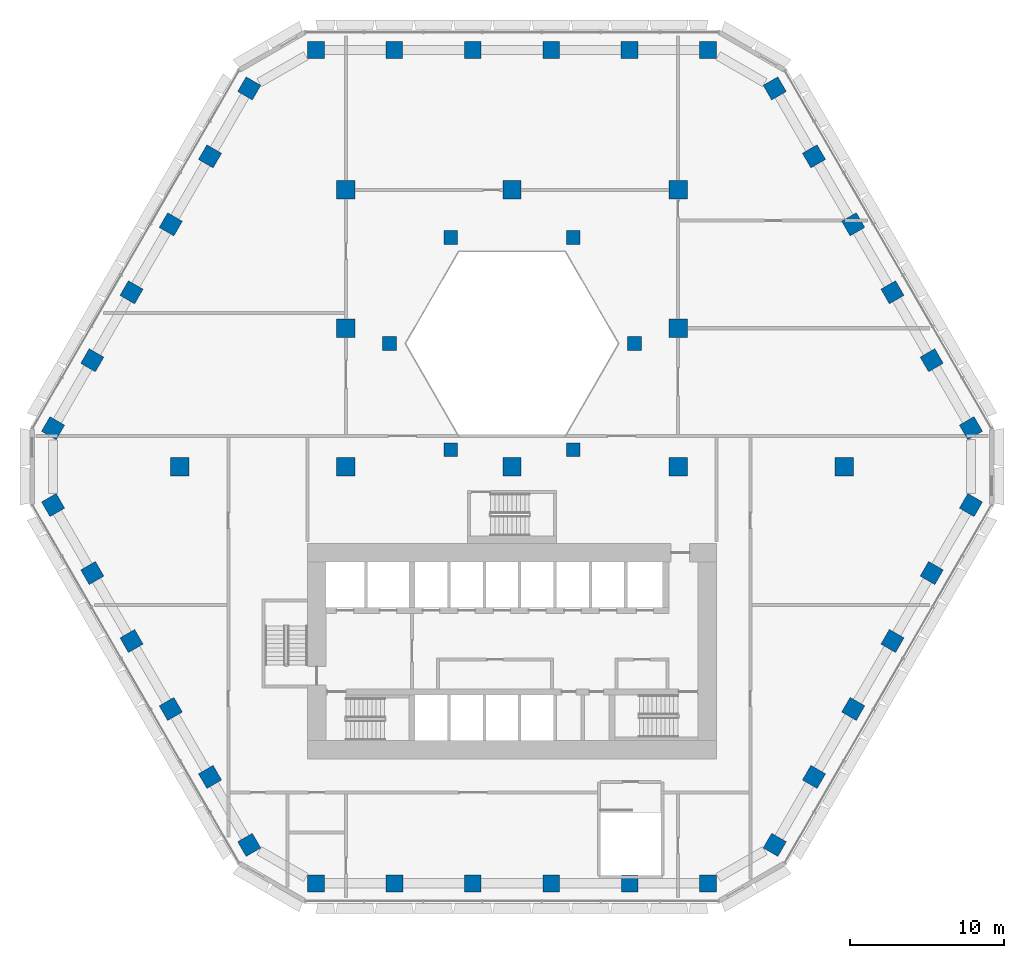
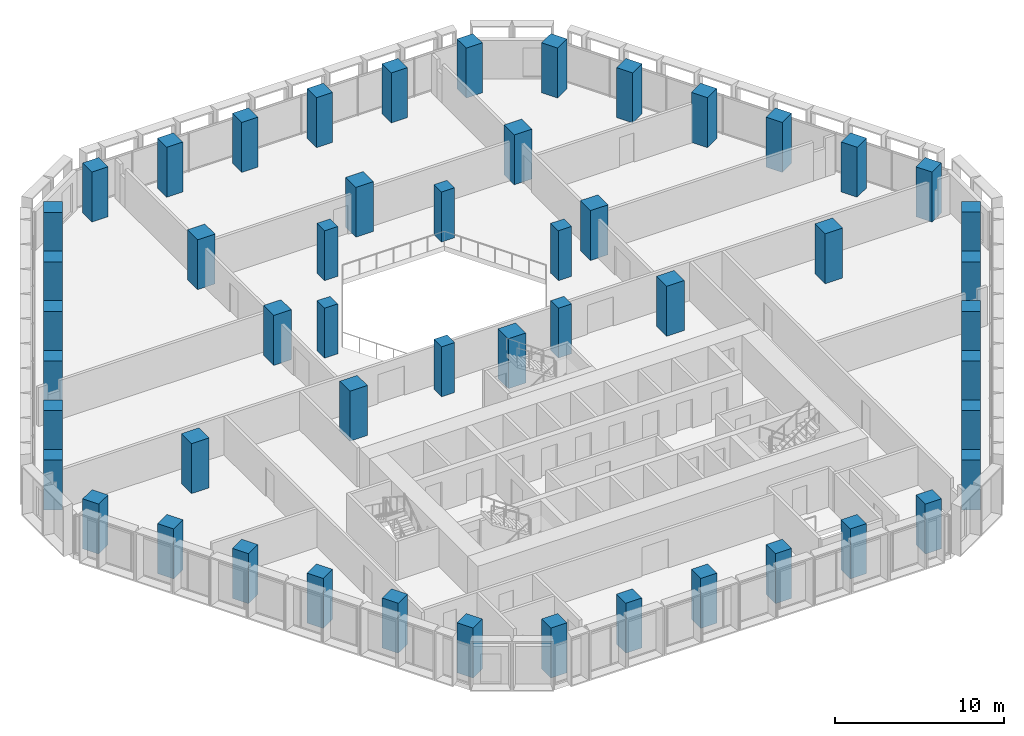
# One storey, part 1 of 21: 52 columns.
"""IFC4 building model written with IfcOpenShell, lengths in metres."""

from ifc_helpers import new_model, si_unit, direction, frame, origin, origin_2d, place, context, subcontext, project, spatial, rectangle, extrude, material, material_profile, profile_set, type_object, element, save


model = new_model("IFC4")

# Units and contexts
model_context = context("Model", 3, precision=1e-05, world=origin(), true_north=direction((0.0, 1.0)))
body_context = subcontext(model_context, "Body", "Model", "MODEL_VIEW")
ifc_project = project(units=[si_unit("LENGTHUNIT", "METRE"), si_unit("AREAUNIT", "SQUARE_METRE"), si_unit("VOLUMEUNIT", "CUBIC_METRE"), si_unit("PLANEANGLEUNIT", "RADIAN"), si_unit("MASSUNIT", "GRAM", prefix="KILO")], contexts=[model_context])

# Site, building, storey
site_placement = place(None, origin())
site = spatial("IfcSite", under=ifc_project, at=site_placement, CompositionType="ELEMENT")
building_placement = place(site_placement, origin())
building = spatial("IfcBuilding", under=site, at=building_placement, Name="Beryl Residences", CompositionType="ELEMENT")
storey_placement = place(building_placement, frame((0.0, 0.0, 19.800048828125)))
storey = spatial("IfcBuildingStorey", under=building, at=storey_placement, Name="L05", CompositionType="ELEMENT", Elevation=19.800048828125)

# Columns
ifc_material_1 = material(Name="Concrete C80/95", Category="concrete")
ifc_material_profile_1 = material_profile(ifc_material_1, rectangle(XDim=1.10009765625, YDim=1.10009765625, at=origin_2d()))
ifc_profile_set_1 = profile_set([ifc_material_profile_1], Name="Concrete C80/95")
column_type_1 = type_object("IfcColumnType", Name="C1 tube column 1100 x 1100 C80/95", PredefinedType="COLUMN", material=ifc_profile_set_1)
for number, where, z_axis, x_axis, name in (
    (1, (12.759033203125, 27.10009765625, 0.0), (0.0, 0.0, 1.0), (-1.0, 0.0, 0.0), "C1-N1 L05"),
    (2, (7.655029296875, 27.10009765625, 0.0), (0.0, 0.0, 1.0), (-1.0, 0.0, 0.0), "C1-N2 L05"),
    (3, (2.551025390625, 27.10009765625, 0.0), (0.0, 0.0, 1.0), (-1.0, 0.0, 0.0), "C1-N3 L05"),
    (4, (-2.552978515625, 27.10009765625, 0.0), (0.0, 0.0, 1.0), (-1.0, 0.0, 0.0), "C1-N4 L05"),
    (5, (-7.656982421875, 27.10009765625, 0.0), (0.0, 0.0, 1.0), (-1.0, 0.0, 0.0), "C1-N5 L05"),
    (6, (-12.760986328125, 27.10009765625, 0.0), (0.0, 0.0, 1.0), (-1.0, 0.0, 0.0), "C1-N6 L05"),
    (7, (-17.090087890625, 24.60009765625, 0.0), (0.0, 0.0, 1.0), (-0.499984884929, -0.866034130299, 0.0), "C1-NW1 L05"),
    (8, (-19.64208984375, 20.179931640625, 0.0), (0.0, 0.0, 1.0), (-0.499984884929, -0.866034130299, 0.0), "C1-NW2 L05"),
    (9, (-22.194091796875, 15.759033203125, 0.0), (0.0, 0.0, 1.0), (-0.499984884929, -0.866034130299, 0.0), "C1-NW3 L05"),
    (10, (-24.74609375, 11.339111328125, 0.0), (0.0, 0.0, 1.0), (-0.499984884929, -0.866034130299, 0.0), "C1-NW4 L05"),
    (11, (-27.298095703125, 6.9189453125, 0.0), (0.0, 0.0, 1.0), (-0.499984884929, -0.866034130299, 0.0), "C1-NW5 L05"),
    (12, (-29.84912109375, 2.4990234375, 0.0), (0.0, 0.0, 1.0), (-0.499984884929, -0.866034130299, 0.0), "C1-NW6 L05"),
    (13, (-29.847900390625, -2.5, 0.0), (0.0, 0.0, 1.0), (0.499984884929, -0.866034130299, 0.0), "C1-SW1 L05"),
    (14, (-27.297119140625, -6.9208984375, 0.0), (0.0, 0.0, 1.0), (0.499984884929, -0.866034130299, 0.0), "C1-SW2 L05"),
    (15, (-24.7451171875, -11.341064453125, 0.0), (0.0, 0.0, 1.0), (0.499984884929, -0.866034130299, 0.0), "C1-SW3 L05"),
    (16, (-22.193115234375, -15.760986328125, 0.0), (0.0, 0.0, 1.0), (0.499984884929, -0.866034130299, 0.0), "C1-SW4 L05"),
    (17, (-19.64111328125, -20.180908203125, 0.0), (0.0, 0.0, 1.0), (0.499984884929, -0.866034130299, 0.0), "C1-SW5 L05"),
    (18, (-17.089111328125, -24.60107421875, 0.0), (0.0, 0.0, 1.0), (0.499984884929, -0.866034130299, 0.0), "C1-SW6 L05"),
    (19, (-12.759033203125, -27.10009765625, 0.0), (0.0, 0.0, 1.0), (1.0, 0.0, 0.0), "C1-S1 L05"),
    (20, (-7.655029296875, -27.10009765625, 0.0), (0.0, 0.0, 1.0), (1.0, 0.0, 0.0), "C1-S2 L05"),
    (21, (-2.551025390625, -27.10009765625, 0.0), (0.0, 0.0, 1.0), (1.0, 0.0, 0.0), "C1-S3 L05"),
    (22, (2.552978515625, -27.10009765625, 0.0), (0.0, 0.0, 1.0), (1.0, 0.0, 0.0), "C1-S4 L05"),
    (23, (7.656982421875, -27.10009765625, 0.0), (0.0, 0.0, 1.0), (1.0, 0.0, 0.0), "C1-S5 L05"),
    (24, (12.760986328125, -27.10009765625, 0.0), (0.0, 0.0, 1.0), (1.0, 0.0, 0.0), "C1-S6 L05"),
    (25, (17.090087890625, -24.60009765625, 0.0), (0.0, 0.0, 1.0), (0.499984884929, 0.866034130299, 0.0), "C1-SE1 L05"),
    (26, (19.64208984375, -20.179931640625, 0.0), (0.0, 0.0, 1.0), (0.499984884929, 0.866034130299, 0.0), "C1-SE2 L05"),
    (27, (22.194091796875, -15.759033203125, 0.0), (0.0, 0.0, 1.0), (0.499984884929, 0.866034130299, 0.0), "C1-SE3 L05"),
    (28, (24.74609375, -11.339111328125, 0.0), (0.0, 0.0, 1.0), (0.499984884929, 0.866034130299, 0.0), "C1-SE4 L05"),
    (29, (27.298095703125, -6.9189453125, 0.0), (0.0, 0.0, 1.0), (0.499984884929, 0.866034130299, 0.0), "C1-SE5 L05"),
    (30, (29.84912109375, -2.4990234375, 0.0), (0.0, 0.0, 1.0), (0.499984884929, 0.866034130299, 0.0), "C1-SE6 L05"),
    (31, (29.847900390625, 2.5, 0.0), (0.0, 0.0, 1.0), (-0.499984884929, 0.866034130299, 0.0), "C1-NE1 L05"),
    (32, (27.297119140625, 6.9208984375, 0.0), (0.0, 0.0, 1.0), (-0.499984884929, 0.866034130299, 0.0), "C1-NE2 L05"),
    (33, (24.7451171875, 11.341064453125, 0.0), (0.0, 0.0, 1.0), (-0.499984884929, 0.866034130299, 0.0), "C1-NE3 L05"),
    (34, (22.193115234375, 15.760986328125, 0.0), (0.0, 0.0, 1.0), (-0.499984884929, 0.866034130299, 0.0), "C1-NE4 L05"),
    (35, (19.64111328125, 20.180908203125, 0.0), (0.0, 0.0, 1.0), (-0.499984884929, 0.866034130299, 0.0), "C1-NE5 L05"),
    (36, (17.089111328125, 24.60107421875, 0.0), (0.0, 0.0, 1.0), (-0.499984884929, 0.866034130299, 0.0), "C1-NE6 L05"),
):
    element("IfcColumn", number, at=place(storey_placement, frame(where, z_axis=z_axis, x_axis=x_axis)), inside=storey, type_object=column_type_1, Name=name, PredefinedType="COLUMN", context=body_context, shape_type="SweptSolid", body=[
        extrude(rectangle(XDim=1.10009765625, YDim=1.10009765625, at=origin_2d()), origin(), (0.0, 0.0, 1.0), 3.599853515625),
    ])
ifc_material_2 = material(Name="Concrete C80/95", Category="concrete")
ifc_material_profile_2 = material_profile(ifc_material_2, rectangle(XDim=0.89990234375, YDim=0.89990234375, at=origin_2d()))
ifc_profile_set_2 = profile_set([ifc_material_profile_2], Name="Concrete C80/95")
column_type_2 = type_object("IfcColumnType", Name="IC1 interior column 900 x 900 C80/95", PredefinedType="COLUMN", material=ifc_profile_set_2)
for number, where, z_axis, x_axis, name in (
    (37, (3.98388671875, 1.10009765625, 0.0), (0.0, 0.0, 1.0), (1.0, 0.0, 0.0), "IC1-A07 L05"),
    (38, (7.967041015625, 8.0, 0.0), (0.0, 0.0, 1.0), (1.0, 0.0, 0.0), "IC1-A10 L05"),
    (39, (3.98388671875, 14.89990234375, 0.0), (0.0, 0.0, 1.0), (1.0, 0.0, 0.0), "IC1-A13 L05"),
    (40, (-3.98388671875, 14.89990234375, 0.0), (0.0, 0.0, 1.0), (1.0, 0.0, 0.0), "IC1-A16 L05"),
    (41, (-7.967041015625, 8.0, 0.0), (0.0, 0.0, 1.0), (1.0, 0.0, 0.0), "IC1-A19 L05"),
    (42, (-3.98388671875, 1.10009765625, 0.0), (0.0, 0.0, 1.0), (1.0, 0.0, 0.0), "IC1-A22 L05"),
):
    element("IfcColumn", number, at=place(storey_placement, frame(where, z_axis=z_axis, x_axis=x_axis)), inside=storey, type_object=column_type_2, Name=name, PredefinedType="COLUMN", context=body_context, shape_type="SweptSolid", body=[
        extrude(rectangle(XDim=0.89990234375, YDim=0.89990234375, at=origin_2d()), origin(), (0.0, 0.0, 1.0), 3.599853515625),
    ])
ifc_material_3 = material(Name="Concrete C80/95", Category="concrete")
ifc_material_profile_3 = material_profile(ifc_material_3, rectangle(XDim=1.199951171875, YDim=1.199951171875, at=origin_2d()))
ifc_profile_set_3 = profile_set([ifc_material_profile_3], Name="Concrete C80/95")
column_type_3 = type_object("IfcColumnType", Name="IG1 grid column 1200 x 1200 C80/95", PredefinedType="COLUMN", material=ifc_profile_set_3)
for number, where, z_axis, x_axis, name in (
    (43, (-21.60009765625, 0.0, 0.0), (0.0, 0.0, 1.0), (1.0, 0.0, 0.0), "IG-3D L05"),
    (44, (-10.800048828125, 0.0, 0.0), (0.0, 0.0, 1.0), (1.0, 0.0, 0.0), "IG-4D L05"),
    (45, (-10.800048828125, 9.0, 0.0), (0.0, 0.0, 1.0), (1.0, 0.0, 0.0), "IG-4E L05"),
    (46, (-10.800048828125, 18.0, 0.0), (0.0, 0.0, 1.0), (1.0, 0.0, 0.0), "IG-4F L05"),
    (47, (0.0, 0.0, 0.0), (0.0, 0.0, 1.0), (1.0, 0.0, 0.0), "IG-5D L05"),
    (48, (0.0, 18.0, 0.0), (0.0, 0.0, 1.0), (1.0, 0.0, 0.0), "IG-5F L05"),
    (49, (10.800048828125, 0.0, 0.0), (0.0, 0.0, 1.0), (1.0, 0.0, 0.0), "IG-6D L05"),
    (50, (10.800048828125, 9.0, 0.0), (0.0, 0.0, 1.0), (1.0, 0.0, 0.0), "IG-6E L05"),
    (51, (10.800048828125, 18.0, 0.0), (0.0, 0.0, 1.0), (1.0, 0.0, 0.0), "IG-6F L05"),
    (52, (21.60009765625, 0.0, 0.0), (0.0, 0.0, 1.0), (1.0, 0.0, 0.0), "IG-7D L05"),
):
    element("IfcColumn", number, at=place(storey_placement, frame(where, z_axis=z_axis, x_axis=x_axis)), inside=storey, type_object=column_type_3, Name=name, PredefinedType="COLUMN", context=body_context, shape_type="SweptSolid", body=[
        extrude(rectangle(XDim=1.199951171875, YDim=1.199951171875, at=origin_2d()), origin(), (0.0, 0.0, 1.0), 3.599853515625),
    ])

save(model, "model.ifc")
